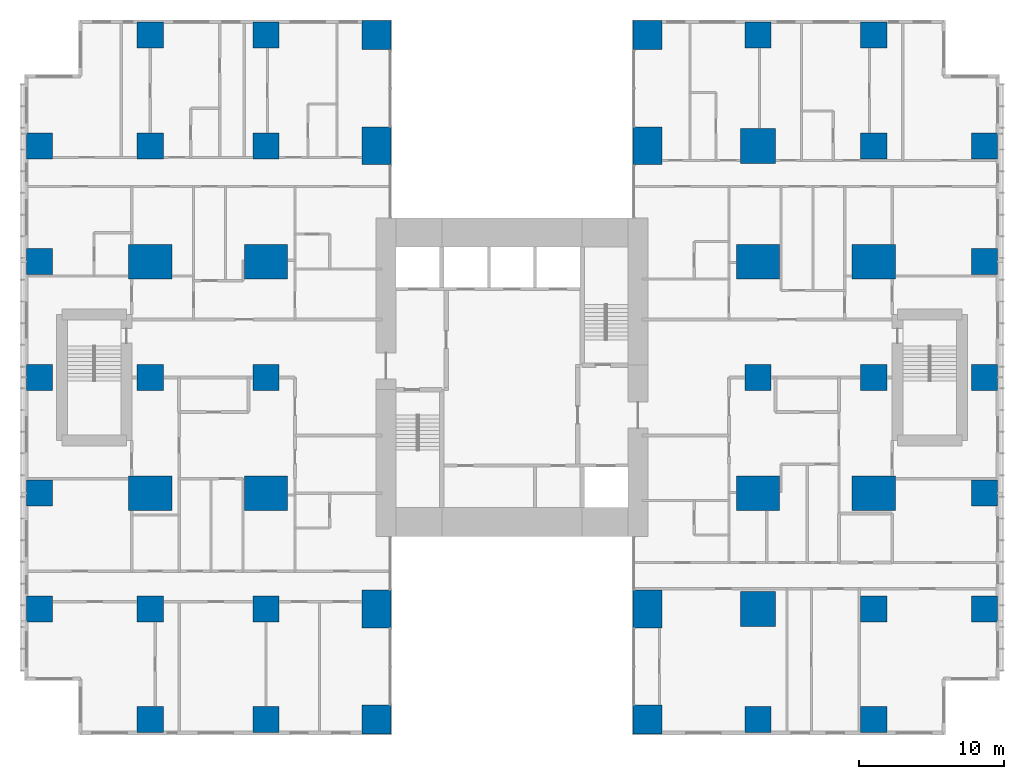
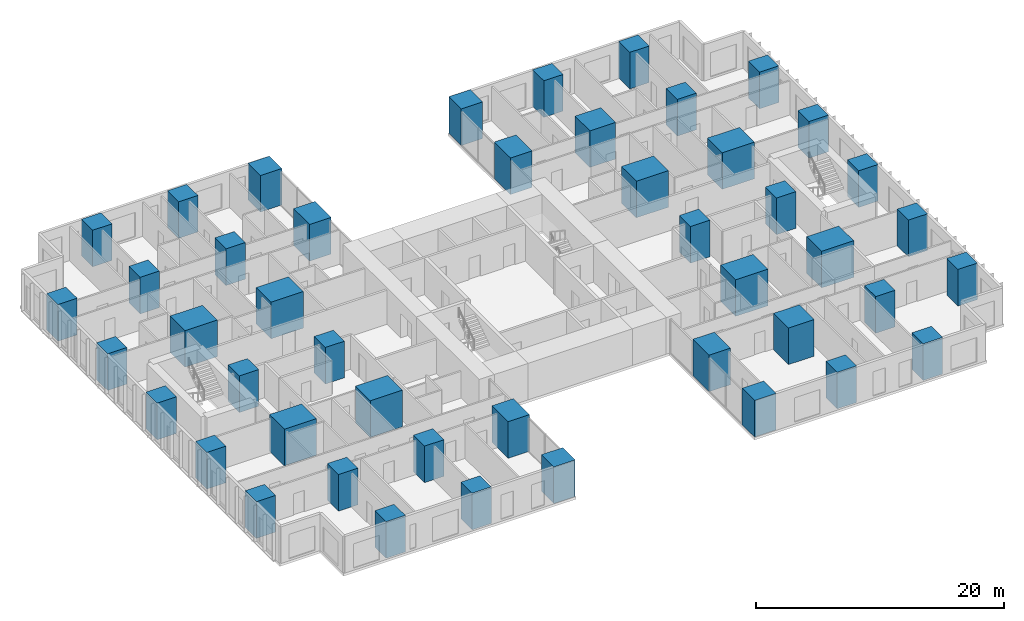
# One storey, part 1 of 20: 46 columns.
"""IFC4 building model written with IfcOpenShell, lengths in metres."""

from ifc_helpers import new_model, si_unit, direction, frame, origin, origin_2d, place, context, subcontext, project, spatial, rectangle, extrude, material, material_profile, profile_set, type_object, element, save


model = new_model("IFC4")

# Units and contexts
model_context = context("Model", 3, precision=1e-05, world=origin(), true_north=direction((0.0, 1.0)))
body_context = subcontext(model_context, "Body", "Model", "MODEL_VIEW")
ifc_project = project(units=[si_unit("LENGTHUNIT", "METRE"), si_unit("AREAUNIT", "SQUARE_METRE"), si_unit("VOLUMEUNIT", "CUBIC_METRE"), si_unit("PLANEANGLEUNIT", "RADIAN"), si_unit("MASSUNIT", "GRAM", prefix="KILO")], contexts=[model_context])

# Site, building, storey
site_placement = place(None, origin())
site = spatial("IfcSite", under=ifc_project, at=site_placement, CompositionType="ELEMENT")
building_placement = place(site_placement, origin())
building = spatial("IfcBuilding", under=site, at=building_placement, Name="Cleftline Residences", CompositionType="ELEMENT")
storey_placement = place(building_placement, frame((0.0, 0.0, 203.800048828125)))
storey = spatial("IfcBuildingStorey", under=building, at=storey_placement, Name="L53", CompositionType="ELEMENT", Elevation=203.800048828125)

# Columns
ifc_material_1 = material(Name="Concrete B70", Category="concrete")
ifc_material_profile_1 = material_profile(ifc_material_1, rectangle(XDim=1.800048828125, YDim=1.800048828125, at=origin_2d()))
ifc_profile_set_1 = profile_set([ifc_material_profile_1], Name="Concrete B70")
column_type_1 = type_object("IfcColumnType", Name="COLUMN RC1800X1800", PredefinedType="COLUMN", material=ifc_profile_set_1)
for number, where, z_axis, x_axis, name in (
    (1, (0.35009765625, 8.0, 0.0), (0.0, 0.0, 1.0), (1.0, 0.0, 0.0), "Column D/3"),
    (2, (0.35009765625, 16.0, 0.0), (0.0, 0.0, 1.0), (1.0, 0.0, 0.0), "Column E/3"),
    (3, (0.35009765625, 24.0, 0.0), (0.0, 0.0, 1.0), (1.0, 0.0, 0.0), "Column F/3"),
    (4, (0.35009765625, 32.0, 0.0), (0.0, 0.0, 1.0), (1.0, 0.0, 0.0), "Column G/3"),
    (5, (0.35009765625, 40.0, 0.0), (0.0, 0.0, 1.0), (1.0, 0.0, 0.0), "Column H/3"),
    (6, (8.0, 0.35009765625, 0.0), (0.0, 0.0, 1.0), (1.0, 0.0, 0.0), "Column C/4"),
    (7, (8.0, 8.0, 0.0), (0.0, 0.0, 1.0), (1.0, 0.0, 0.0), "Column D/4"),
    (8, (8.0, 24.0, 0.0), (0.0, 0.0, 1.0), (1.0, 0.0, 0.0), "Column F/4"),
    (9, (8.0, 40.0, 0.0), (0.0, 0.0, 1.0), (1.0, 0.0, 0.0), "Column H/4"),
    (10, (8.0, 47.64990234375, 0.0), (0.0, 0.0, 1.0), (1.0, 0.0, 0.0), "Column J/4"),
    (11, (16.0, 0.35009765625, 0.0), (0.0, 0.0, 1.0), (1.0, 0.0, 0.0), "Column C/5"),
    (12, (16.0, 8.0, 0.0), (0.0, 0.0, 1.0), (1.0, 0.0, 0.0), "Column D/5"),
    (13, (16.0, 24.0, 0.0), (0.0, 0.0, 1.0), (1.0, 0.0, 0.0), "Column F/5"),
    (14, (16.0, 40.0, 0.0), (0.0, 0.0, 1.0), (1.0, 0.0, 0.0), "Column H/5"),
    (15, (16.0, 47.64990234375, 0.0), (0.0, 0.0, 1.0), (1.0, 0.0, 0.0), "Column J/5"),
    (16, (50.0, 0.35009765625, 0.0), (0.0, 0.0, 1.0), (1.0, 0.0, 0.0), "Column C/9"),
    (17, (50.0, 24.0, 0.0), (0.0, 0.0, 1.0), (1.0, 0.0, 0.0), "Column F/9"),
    (18, (50.0, 47.64990234375, 0.0), (0.0, 0.0, 1.0), (1.0, 0.0, 0.0), "Column J/9"),
    (19, (58.0, 0.35009765625, 0.0), (0.0, 0.0, 1.0), (1.0, 0.0, 0.0), "Column C/10"),
    (20, (58.0, 8.0, 0.0), (0.0, 0.0, 1.0), (1.0, 0.0, 0.0), "Column D/10"),
    (21, (58.0, 24.0, 0.0), (0.0, 0.0, 1.0), (1.0, 0.0, 0.0), "Column F/10"),
    (22, (58.0, 40.0, 0.0), (0.0, 0.0, 1.0), (1.0, 0.0, 0.0), "Column H/10"),
    (23, (58.0, 47.64990234375, 0.0), (0.0, 0.0, 1.0), (1.0, 0.0, 0.0), "Column J/10"),
    (24, (65.64990234375, 8.0, 0.0), (0.0, 0.0, 1.0), (1.0, 0.0, 0.0), "Column D/11"),
    (25, (65.64990234375, 16.0, 0.0), (0.0, 0.0, 1.0), (1.0, 0.0, 0.0), "Column E/11"),
    (26, (65.64990234375, 24.0, 0.0), (0.0, 0.0, 1.0), (1.0, 0.0, 0.0), "Column F/11"),
    (27, (65.64990234375, 32.0, 0.0), (0.0, 0.0, 1.0), (1.0, 0.0, 0.0), "Column G/11"),
    (28, (65.64990234375, 40.0, 0.0), (0.0, 0.0, 1.0), (1.0, 0.0, 0.0), "Column H/11"),
):
    element("IfcColumn", number, at=place(storey_placement, frame(where, z_axis=z_axis, x_axis=x_axis)), inside=storey, type_object=column_type_1, Name=name, PredefinedType="COLUMN", context=body_context, shape_type="SweptSolid", body=[
        extrude(rectangle(XDim=1.800048828125, YDim=1.800048828125, at=origin_2d()), origin(), (0.0, 0.0, 1.0), 3.599853515625),
    ])
ifc_material_2 = material(Name="Concrete B70", Category="concrete")
ifc_material_profile_2 = material_profile(ifc_material_2, rectangle(XDim=2.0, YDim=2.0, at=origin_2d()))
ifc_profile_set_2 = profile_set([ifc_material_profile_2], Name="Concrete B70")
column_type_2 = type_object("IfcColumnType", Name="COLUMN RC2000X2000", PredefinedType="COLUMN", material=ifc_profile_set_2)
for number, where, z_axis, x_axis, name in (
    (29, (23.64990234375, 0.35009765625, 0.0), (0.0, 0.0, 1.0), (1.0, 0.0, 0.0), "Column C/6"),
    (30, (23.64990234375, 47.64990234375, 0.0), (0.0, 0.0, 1.0), (1.0, 0.0, 0.0), "Column J/6"),
    (31, (42.35009765625, 0.35009765625, 0.0), (0.0, 0.0, 1.0), (1.0, 0.0, 0.0), "Column C/8"),
    (32, (42.35009765625, 47.64990234375, 0.0), (0.0, 0.0, 1.0), (1.0, 0.0, 0.0), "Column J/8"),
):
    element("IfcColumn", number, at=place(storey_placement, frame(where, z_axis=z_axis, x_axis=x_axis)), inside=storey, type_object=column_type_2, Name=name, PredefinedType="COLUMN", context=body_context, shape_type="SweptSolid", body=[
        extrude(rectangle(XDim=2.0, YDim=2.0, at=origin_2d()), origin(), (0.0, 0.0, 1.0), 3.599853515625),
    ])
ifc_material_3 = material(Name="Concrete B70", Category="concrete")
ifc_material_profile_3 = material_profile(ifc_material_3, rectangle(XDim=2.0, YDim=2.60009765625, at=origin_2d()))
ifc_profile_set_3 = profile_set([ifc_material_profile_3], Name="Concrete B70")
column_type_3 = type_object("IfcColumnType", Name="COLUMN RC2000X2600", PredefinedType="COLUMN", material=ifc_profile_set_3)
for number, where, z_axis, x_axis, name in (
    (33, (23.64990234375, 8.0, 0.0), (0.0, 0.0, 1.0), (1.0, 0.0, 0.0), "Column D/6"),
    (34, (23.64990234375, 40.0, 0.0), (0.0, 0.0, 1.0), (1.0, 0.0, 0.0), "Column H/6"),
    (35, (42.35009765625, 8.0, 0.0), (0.0, 0.0, 1.0), (1.0, 0.0, 0.0), "Column D/8"),
    (36, (42.35009765625, 40.0, 0.0), (0.0, 0.0, 1.0), (1.0, 0.0, 0.0), "Column H/8"),
):
    element("IfcColumn", number, at=place(storey_placement, frame(where, z_axis=z_axis, x_axis=x_axis)), inside=storey, type_object=column_type_3, Name=name, PredefinedType="COLUMN", context=body_context, shape_type="SweptSolid", body=[
        extrude(rectangle(XDim=2.0, YDim=2.60009765625, at=origin_2d()), origin(), (0.0, 0.0, 1.0), 3.599853515625),
    ])
ifc_material_4 = material(Name="Concrete B70", Category="concrete")
ifc_material_profile_4 = material_profile(ifc_material_4, rectangle(XDim=2.39990234375, YDim=2.39990234375, at=origin_2d()))
ifc_profile_set_4 = profile_set([ifc_material_profile_4], Name="Concrete B70")
column_type_4 = type_object("IfcColumnType", Name="COLUMN RC2400X2400", PredefinedType="COLUMN", material=ifc_profile_set_4)
for number, where, z_axis, x_axis, name in (
    (37, (50.0, 8.0, 0.0), (0.0, 0.0, 1.0), (1.0, 0.0, 0.0), "Column D/9"),
    (38, (50.0, 40.0, 0.0), (0.0, 0.0, 1.0), (1.0, 0.0, 0.0), "Column H/9"),
):
    element("IfcColumn", number, at=place(storey_placement, frame(where, z_axis=z_axis, x_axis=x_axis)), inside=storey, type_object=column_type_4, Name=name, PredefinedType="COLUMN", context=body_context, shape_type="SweptSolid", body=[
        extrude(rectangle(XDim=2.39990234375, YDim=2.39990234375, at=origin_2d()), origin(), (0.0, 0.0, 1.0), 3.599853515625),
    ])
ifc_material_5 = material(Name="Concrete B70", Category="concrete")
ifc_material_profile_5 = material_profile(ifc_material_5, rectangle(XDim=3.0, YDim=2.39990234375, at=origin_2d()))
ifc_profile_set_5 = profile_set([ifc_material_profile_5], Name="Concrete B70")
column_type_5 = type_object("IfcColumnType", Name="COLUMN RC3000X2400", PredefinedType="COLUMN", material=ifc_profile_set_5)
for number, where, z_axis, x_axis, name in (
    (39, (8.0, 16.0, 0.0), (0.0, 0.0, 1.0), (1.0, 0.0, 0.0), "Column E/4"),
    (40, (8.0, 32.0, 0.0), (0.0, 0.0, 1.0), (1.0, 0.0, 0.0), "Column G/4"),
    (41, (16.0, 16.0, 0.0), (0.0, 0.0, 1.0), (1.0, 0.0, 0.0), "Column E/5"),
    (42, (16.0, 32.0, 0.0), (0.0, 0.0, 1.0), (1.0, 0.0, 0.0), "Column G/5"),
    (43, (50.0, 16.0, 0.0), (0.0, 0.0, 1.0), (1.0, 0.0, 0.0), "Column E/9"),
    (44, (50.0, 32.0, 0.0), (0.0, 0.0, 1.0), (1.0, 0.0, 0.0), "Column G/9"),
    (45, (58.0, 16.0, 0.0), (0.0, 0.0, 1.0), (1.0, 0.0, 0.0), "Column E/10"),
    (46, (58.0, 32.0, 0.0), (0.0, 0.0, 1.0), (1.0, 0.0, 0.0), "Column G/10"),
):
    element("IfcColumn", number, at=place(storey_placement, frame(where, z_axis=z_axis, x_axis=x_axis)), inside=storey, type_object=column_type_5, Name=name, PredefinedType="COLUMN", context=body_context, shape_type="SweptSolid", body=[
        extrude(rectangle(XDim=3.0, YDim=2.39990234375, at=origin_2d()), origin(), (0.0, 0.0, 1.0), 3.599853515625),
    ])

save(model, "model.ifc")
